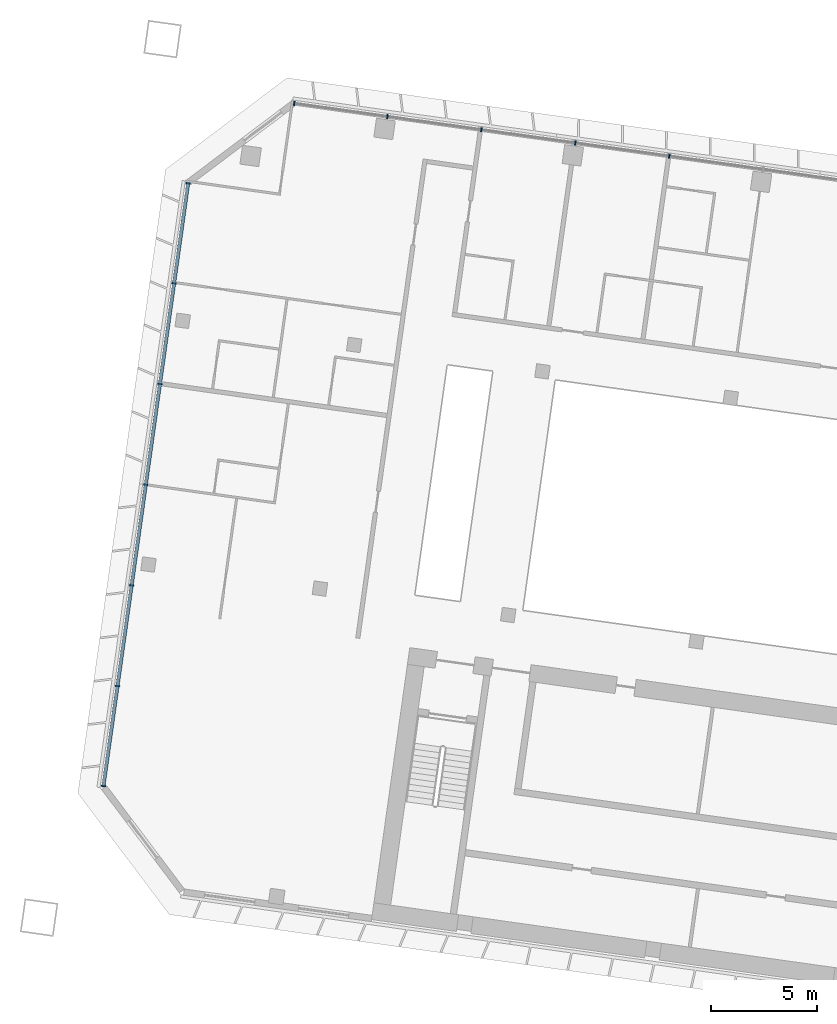
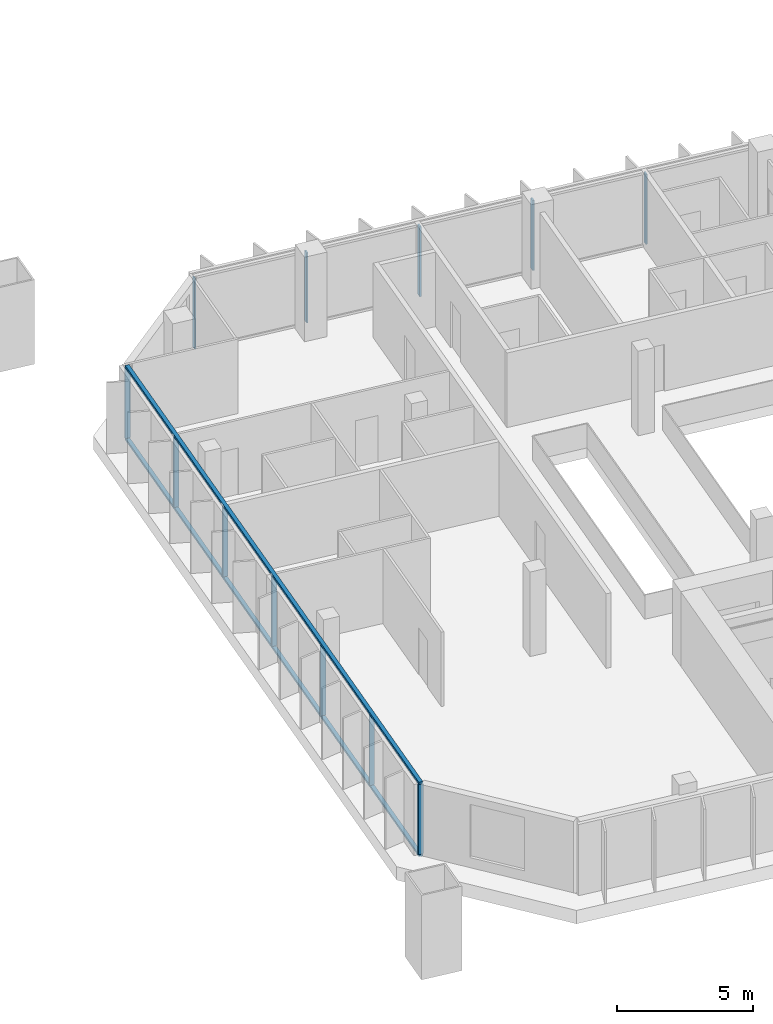
# One storey, part 2 of 27: 14 members, 2 elements without a shape of their own.
"""IFC4 building model written with IfcOpenShell, lengths in metres."""

import ifcopenshell
import ifcopenshell.guid

model = None  # the IFC model being written
_history = None  # IfcOwnerHistory: only IFC2X3 demands one
_inside = {}  # id of a spatial element -> (the spatial element, [elements in it])
_under = {}  # id of a project, library or spatial element -> (it, [spatial elements below it])
_declared = {}  # id of a project -> (the project, [libraries it declares])
_typed = {}  # id of a type object -> (the type object, [elements of that type])
_made_of = {}  # id of a material, layer set ... -> (it, [elements and type objects made of it])


def new_model(schema):
    """Start an empty IFC model of exactly this schema.

    Asked for "IFC4X3", IfcOpenShell would pick the latest addendum, in which some entities
    have other attributes; the version numbers below select the first issue.
    IFC2X3 requires an IfcOwnerHistory on every rooted entity: one is made here for all.
    """
    global model, _history
    if schema == "IFC4X3":
        model = ifcopenshell.file(schema_version=(4, 3, 0, 0))
    else:
        model = ifcopenshell.file(schema=schema)
    _inside.clear()
    _under.clear()
    _declared.clear()
    _typed.clear()
    _made_of.clear()
    _history = None
    if model.schema == "IFC2X3":
        org = make("IfcOrganization", Name="unknown")
        user = make(
            "IfcPersonAndOrganization",
            ThePerson=make("IfcPerson", FamilyName="unknown"),
            TheOrganization=org,
        )
        app = make(
            "IfcApplication",
            ApplicationDeveloper=org,
            Version="unknown",
            ApplicationFullName="unknown",
            ApplicationIdentifier="unknown",
        )
        _history = make(
            "IfcOwnerHistory",
            OwningUser=user,
            OwningApplication=app,
            ChangeAction="ADDED",
            CreationDate=0,
        )
    return model


def make(cls, **values):
    """One entity of the class cls with the attributes given. An attribute that is None is left unset."""
    return model.create_entity(
        cls, **{name: value for name, value in values.items() if value is not None}
    )


def rooted(cls, **values):
    """An entity with a GlobalId (a new one), such as an element, a storey or a relation."""
    return make(cls, GlobalId=ifcopenshell.guid.new(), OwnerHistory=_history, **values)


def si_unit(unit_type, name, prefix=None):
    """IfcSIUnit, for example si_unit("LENGTHUNIT", "METRE", prefix="MILLI")."""
    return make("IfcSIUnit", UnitType=unit_type, Prefix=prefix, Name=name)


def assignment(units):
    """IfcUnitAssignment: the units of a project."""
    return None if units is None else make("IfcUnitAssignment", Units=units)


def point(xyz):
    """IfcCartesianPoint."""
    return None if xyz is None else make("IfcCartesianPoint", Coordinates=xyz)


def direction(xyz):
    """IfcDirection."""
    return None if xyz is None else make("IfcDirection", DirectionRatios=xyz)


def frame(location, z_axis=None, x_axis=None):
    """IfcAxis2Placement3D, a coordinate frame: its origin and axes. An axis left out is left unset."""
    return make(
        "IfcAxis2Placement3D",
        Location=point(location),
        Axis=direction(z_axis),
        RefDirection=direction(x_axis),
    )


def frame_2d(location, x_axis=None):
    """IfcAxis2Placement2D, a coordinate frame in the plane: its origin and x axis."""
    return make(
        "IfcAxis2Placement2D", Location=point(location), RefDirection=direction(x_axis)
    )


def origin():
    """The frame at (0, 0, 0) with its axes left unset."""
    return frame((0.0, 0.0, 0.0))


def origin_2d():
    """The frame at (0, 0) in the plane with its x axis left unset."""
    return frame_2d((0.0, 0.0))


def place(relative_to, where):
    """IfcLocalPlacement: puts the frame where relative to a parent placement (None: the world)."""
    return make(
        "IfcLocalPlacement", PlacementRelTo=relative_to, RelativePlacement=where
    )


def context(
    kind, dimensions, precision=None, world=None, true_north=None, identifier=None
):
    """IfcGeometricRepresentationContext, for example the 3D "Model" context."""
    return make(
        "IfcGeometricRepresentationContext",
        ContextIdentifier=identifier,
        ContextType=kind,
        CoordinateSpaceDimension=dimensions,
        Precision=precision,
        WorldCoordinateSystem=world,
        TrueNorth=true_north,
    )


def subcontext(parent, identifier, kind, view, scale=None):
    """IfcGeometricRepresentationSubContext, for example "Body" below "Model"."""
    return make(
        "IfcGeometricRepresentationSubContext",
        ContextIdentifier=identifier,
        ContextType=kind,
        ParentContext=parent,
        TargetScale=scale,
        TargetView=view,
    )


def project(units=None, contexts=None):
    """IfcProject with its units and contexts."""
    return rooted(
        "IfcProject",
        Name="project",
        RepresentationContexts=contexts,
        UnitsInContext=assignment(units),
    )


def spatial(cls, under=None, at=None, **own):
    """A site, building, storey or space (cls), placed at a placement, below another one or the project."""
    s = rooted(cls, ObjectPlacement=at, **own)
    if under is not None:
        _under.setdefault(under.id(), (under, []))[1].append(s)
    return s


def profile(cls, at=None, kind="AREA", **sizes):
    """A parametric profile (cls). Its sizes go by their IFC names, for example OverallWidth=200.0."""
    return make(cls, ProfileType=kind, Position=at, **sizes)


def rectangle(**sizes):
    """IfcRectangleProfileDef."""
    return profile("IfcRectangleProfileDef", **sizes)


def extrude(swept, where, along, depth):
    """IfcExtrudedAreaSolid: the profile swept, set in the frame where, extruded along a direction by depth."""
    return make(
        "IfcExtrudedAreaSolid",
        SweptArea=swept,
        Position=where,
        ExtrudedDirection=direction(along),
        Depth=depth,
    )


def shape(context_of_items, identifier, shape_type, items):
    """IfcShapeRepresentation: the items that make up one representation, for example the "Body"."""
    return make(
        "IfcShapeRepresentation",
        ContextOfItems=context_of_items,
        RepresentationIdentifier=identifier,
        RepresentationType=shape_type,
        Items=items,
    )


def material(Name=None, Category=None):
    """IfcMaterial."""
    return make("IfcMaterial", Name=Name, Category=Category)


def material_profile(
    of_material, cross_section, Name=None, Category=None, Priority=None
):
    """IfcMaterialProfile: a cross section and its material."""
    return make(
        "IfcMaterialProfile",
        Name=Name,
        Material=of_material,
        Profile=cross_section,
        Priority=Priority,
        Category=Category,
    )


def profile_set(profiles, Name=None, composite=None):
    """IfcMaterialProfileSet."""
    return make(
        "IfcMaterialProfileSet",
        Name=Name,
        MaterialProfiles=profiles,
        CompositeProfile=composite,
    )


def made_of(thing, what):
    """Note that an element or type object is made of a material, layer set ...; save() writes the relation."""
    if what is not None:
        _made_of.setdefault(what.id(), (what, []))[1].append(thing)
    return thing


def type_object(cls, material=None, **own):
    """A type object (cls), such as IfcWallType, which elements share."""
    return made_of(rooted(cls, **own), material)


def element(
    cls,
    number,
    at=None,
    inside=None,
    cuts=None,
    type_object=None,
    material=None,
    context=None,
    identifier="Body",
    shape_type=None,
    held_by="IfcProductDefinitionShape",
    body=None,
    shapes=None,
    **own,
):
    """One element of the class cls, such as IfcWall. Its Tag is "e" and its number.

    at: its placement. inside: the storey or other place that contains it. cuts: it is an
    opening in that element (IfcRelVoidsElement). A single representation is given by context,
    identifier, shape_type and body (its items); several are given by shapes. held_by: the class
    of the entity that holds the representations. save() writes the other relations.
    """
    e = rooted(cls, Tag="e%d" % number, ObjectPlacement=at, **own)
    if body is not None:
        shapes = [shape(context, identifier, shape_type, body)]
    if shapes is not None:
        e.Representation = make(held_by, Representations=shapes)
    if inside is not None:
        _inside.setdefault(inside.id(), (inside, []))[1].append(e)
    if cuts is not None:
        rooted(
            "IfcRelVoidsElement", RelatingBuildingElement=cuts, RelatedOpeningElement=e
        )
    if type_object is not None:
        _typed.setdefault(type_object.id(), (type_object, []))[1].append(e)
    return made_of(e, material)


def aggregate(whole, parts):
    """IfcRelAggregates: a whole, such as a stair, and the parts it consists of."""
    return rooted("IfcRelAggregates", RelatingObject=whole, RelatedObjects=parts)


def save(model, path):
    """Write the relations noted so far, then the file.

    IfcRelAggregates (storeys below a building ...), IfcRelContainedInSpatialStructure (elements
    in a storey), IfcRelDefinesByType, IfcRelAssociatesMaterial and IfcRelDeclares: one each for
    every whole, place, type object, material and project.
    """
    for whole, parts in _under.values():
        aggregate(whole, parts)
    for where, things in _inside.values():
        rooted(
            "IfcRelContainedInSpatialStructure",
            RelatedElements=things,
            RelatingStructure=where,
        )
    for kind, things in _typed.values():
        rooted("IfcRelDefinesByType", RelatedObjects=things, RelatingType=kind)
    for what, things in _made_of.values():
        rooted("IfcRelAssociatesMaterial", RelatedObjects=things, RelatingMaterial=what)
    for by, libraries in _declared.values():
        rooted("IfcRelDeclares", RelatingContext=by, RelatedDefinitions=libraries)
    model.write(path)


model = new_model("IFC4")

# Units and contexts
model_context = context("Model", 3, precision=1e-05, world=origin(), true_north=direction((0.0, 1.0)))
body_context = subcontext(model_context, "Body", "Model", "MODEL_VIEW")
ifc_project = project(units=[si_unit("LENGTHUNIT", "METRE"), si_unit("AREAUNIT", "SQUARE_METRE"), si_unit("VOLUMEUNIT", "CUBIC_METRE"), si_unit("PLANEANGLEUNIT", "RADIAN"), si_unit("MASSUNIT", "GRAM", prefix="KILO")], contexts=[model_context])

# Site, building, storey
site_placement = place(None, origin())
site = spatial("IfcSite", under=ifc_project, at=site_placement, CompositionType="ELEMENT")
building_placement = place(site_placement, origin())
building = spatial("IfcBuilding", under=site, at=building_placement, Name="Mirante Cascada Hotel Towers", CompositionType="ELEMENT")
storey_placement = place(building_placement, frame((0.0, 0.0, 117.7)))
storey = spatial("IfcBuildingStorey", under=building, at=storey_placement, Name="L26", CompositionType="ELEMENT", Elevation=117.7)

# Curtain wall, members
ifc_material_1 = material(Name="Aluminium mullion and transom frame with clear laminated glass", Category="aluminium")
curtain_wall_type_1 = type_object("IfcCurtainWallType", Name="Ribbon curtain wall ECW1", PredefinedType="NOTDEFINED", material=ifc_material_1)
curtain_wall_1_placement = place(storey_placement, origin())
curtain_wall_1 = element("IfcCurtainWall", 1, at=curtain_wall_1_placement, inside=storey, type_object=curtain_wall_type_1, Name="Front ribbon wall T1 L26", PredefinedType="NOTDEFINED")
ifc_material_2 = material(Name="Anodised aluminium extrusion", Category="aluminium")
ifc_material_profile_1 = material_profile(ifc_material_2, rectangle(XDim=0.2, YDim=0.065, at=origin_2d()), Name="ECW1 MULLION 65x200")
ifc_profile_set_1 = profile_set([ifc_material_profile_1], Name="Anodised aluminium extrusion")
member_type_1 = type_object("IfcMemberType", Name="ECW1 mullion 65x200", PredefinedType="MULLION", material=ifc_profile_set_1)
member_1_placement = place(storey_placement, frame((-94.126, 26.0476, 0.1), z_axis=(0.0, 0.0, 1.0), x_axis=(0.1391731, 0.9902681, 0.0)))
member_1 = element("IfcMember", 2, at=member_1_placement, type_object=member_type_1, Name="ECW1 mullion 1", PredefinedType="MULLION", context=body_context, shape_type="SweptSolid", body=[
    extrude(rectangle(XDim=0.2, YDim=0.065, at=origin_2d()), origin(), (0.0, 0.0, 1.0), 3.15),
])
member_2_placement = place(storey_placement, frame((-89.7107, 25.427, 0.1), z_axis=(0.0, 0.0, 1.0), x_axis=(0.1391731, 0.9902681, 0.0)))
member_2 = element("IfcMember", 3, at=member_2_placement, type_object=member_type_1, Name="ECW1 mullion 2", PredefinedType="MULLION", context=body_context, shape_type="SweptSolid", body=[
    extrude(rectangle(XDim=0.2, YDim=0.065, at=origin_2d()), origin(), (0.0, 0.0, 1.0), 3.15),
])
member_3_placement = place(storey_placement, frame((-85.2633, 24.802, 0.1), z_axis=(0.0, 0.0, 1.0), x_axis=(0.1391731, 0.9902681, 0.0)))
member_3 = element("IfcMember", 4, at=member_3_placement, type_object=member_type_1, Name="ECW1 mullion 3", PredefinedType="MULLION", context=body_context, shape_type="SweptSolid", body=[
    extrude(rectangle(XDim=0.2, YDim=0.065, at=origin_2d()), origin(), (0.0, 0.0, 1.0), 3.15),
])
member_4_placement = place(storey_placement, frame((-80.8159, 24.177, 0.1), z_axis=(0.0, 0.0, 1.0), x_axis=(0.1391731, 0.9902681, 0.0)))
member_4 = element("IfcMember", 5, at=member_4_placement, type_object=member_type_1, Name="ECW1 mullion 4", PredefinedType="MULLION", context=body_context, shape_type="SweptSolid", body=[
    extrude(rectangle(XDim=0.2, YDim=0.065, at=origin_2d()), origin(), (0.0, 0.0, 1.0), 3.15),
])
member_5_placement = place(storey_placement, frame((-76.3685, 23.5519, 0.1), z_axis=(0.0, 0.0, 1.0), x_axis=(0.1391731, 0.9902681, 0.0)))
member_5 = element("IfcMember", 6, at=member_5_placement, type_object=member_type_1, Name="ECW1 mullion 5", PredefinedType="MULLION", context=body_context, shape_type="SweptSolid", body=[
    extrude(rectangle(XDim=0.2, YDim=0.065, at=origin_2d()), origin(), (0.0, 0.0, 1.0), 3.15),
])
aggregate(curtain_wall_1, [member_1, member_2, member_3, member_4, member_5])

ifc_material_3 = material(Name="Aluminium mullion and transom frame with clear laminated glass", Category="aluminium")
curtain_wall_type_2 = type_object("IfcCurtainWallType", Name="End ribbon curtain wall ECW2", PredefinedType="NOTDEFINED", material=ifc_material_3)
curtain_wall_2_placement = place(storey_placement, origin())
curtain_wall_2 = element("IfcCurtainWall", 7, at=curtain_wall_2_placement, inside=storey, type_object=curtain_wall_type_2, Name="Outer end wall T1 L26", PredefinedType="NOTDEFINED")
ifc_material_4 = material(Name="Anodised aluminium extrusion", Category="aluminium")
ifc_material_profile_2 = material_profile(ifc_material_4, rectangle(XDim=0.2, YDim=0.065, at=origin_2d()), Name="ECW2 MULLION 65x200")
ifc_profile_set_2 = profile_set([ifc_material_profile_2], Name="Anodised aluminium extrusion")
member_type_2 = type_object("IfcMemberType", Name="ECW2 mullion 65x200", PredefinedType="MULLION", material=ifc_profile_set_2)
member_6_placement = place(storey_placement, frame((-103.1556, -6.2656, 0.1), z_axis=(0.0, 0.0, 1.0), x_axis=(-0.9902681, 0.1391731, 0.0)))
member_6 = element("IfcMember", 8, at=member_6_placement, type_object=member_type_2, Name="ECW2 mullion 1", PredefinedType="MULLION", context=body_context, shape_type="SweptSolid", body=[
    extrude(rectangle(XDim=0.2, YDim=0.065, at=origin_2d()), origin(), (0.0, 0.0, 1.0), 3.15),
])
member_7_placement = place(storey_placement, frame((-102.4903, -1.532, 0.1), z_axis=(0.0, 0.0, 1.0), x_axis=(-0.9902681, 0.1391731, 0.0)))
member_7 = element("IfcMember", 9, at=member_7_placement, type_object=member_type_2, Name="ECW2 mullion 2", PredefinedType="MULLION", context=body_context, shape_type="SweptSolid", body=[
    extrude(rectangle(XDim=0.2, YDim=0.065, at=origin_2d()), origin(), (0.0, 0.0, 1.0), 3.15),
])
member_8_placement = place(storey_placement, frame((-101.8205, 3.2338, 0.1), z_axis=(0.0, 0.0, 1.0), x_axis=(-0.9902681, 0.1391731, 0.0)))
member_8 = element("IfcMember", 10, at=member_8_placement, type_object=member_type_2, Name="ECW2 mullion 3", PredefinedType="MULLION", context=body_context, shape_type="SweptSolid", body=[
    extrude(rectangle(XDim=0.2, YDim=0.065, at=origin_2d()), origin(), (0.0, 0.0, 1.0), 3.15),
])
member_9_placement = place(storey_placement, frame((-101.1508, 7.9996, 0.1), z_axis=(0.0, 0.0, 1.0), x_axis=(-0.9902681, 0.1391731, 0.0)))
member_9 = element("IfcMember", 11, at=member_9_placement, type_object=member_type_2, Name="ECW2 mullion 4", PredefinedType="MULLION", context=body_context, shape_type="SweptSolid", body=[
    extrude(rectangle(XDim=0.2, YDim=0.065, at=origin_2d()), origin(), (0.0, 0.0, 1.0), 3.15),
])
member_10_placement = place(storey_placement, frame((-100.481, 12.7654, 0.1), z_axis=(0.0, 0.0, 1.0), x_axis=(-0.9902681, 0.1391731, 0.0)))
member_10 = element("IfcMember", 12, at=member_10_placement, type_object=member_type_2, Name="ECW2 mullion 5", PredefinedType="MULLION", context=body_context, shape_type="SweptSolid", body=[
    extrude(rectangle(XDim=0.2, YDim=0.065, at=origin_2d()), origin(), (0.0, 0.0, 1.0), 3.15),
])
member_11_placement = place(storey_placement, frame((-99.8112, 17.5312, 0.1), z_axis=(0.0, 0.0, 1.0), x_axis=(-0.9902681, 0.1391731, 0.0)))
member_11 = element("IfcMember", 13, at=member_11_placement, type_object=member_type_2, Name="ECW2 mullion 6", PredefinedType="MULLION", context=body_context, shape_type="SweptSolid", body=[
    extrude(rectangle(XDim=0.2, YDim=0.065, at=origin_2d()), origin(), (0.0, 0.0, 1.0), 3.15),
])
member_12_placement = place(storey_placement, frame((-99.1459, 22.2648, 0.1), z_axis=(0.0, 0.0, 1.0), x_axis=(-0.9902681, 0.1391731, 0.0)))
member_12 = element("IfcMember", 14, at=member_12_placement, type_object=member_type_2, Name="ECW2 mullion 7", PredefinedType="MULLION", context=body_context, shape_type="SweptSolid", body=[
    extrude(rectangle(XDim=0.2, YDim=0.065, at=origin_2d()), origin(), (0.0, 0.0, 1.0), 3.15),
])
ifc_material_5 = material(Name="Anodised aluminium extrusion", Category="aluminium")
ifc_material_profile_3 = material_profile(ifc_material_5, rectangle(XDim=0.16, YDim=0.1, at=origin_2d()), Name="ECW2 TRANSOM 100x160")
ifc_profile_set_3 = profile_set([ifc_material_profile_3], Name="Anodised aluminium extrusion")
member_type_3 = type_object("IfcMemberType", Name="ECW2 transom 100x160", PredefinedType="USERDEFINED", material=ifc_profile_set_3)
member_13_placement = place(storey_placement, frame((-103.1601, -6.2978, 0.05), z_axis=(0.1391723, 0.9902682, 0.0), x_axis=(-0.9902682, 0.1391723, 0.0)))
member_13 = element("IfcMember", 15, at=member_13_placement, type_object=member_type_3, Name="ECW2 sill transom", ObjectType="TRANSOM", PredefinedType="USERDEFINED", context=body_context, shape_type="SweptSolid", body=[
    extrude(rectangle(XDim=0.16, YDim=0.1, at=origin_2d()), origin(), (0.0, 0.0, 1.0), 28.8757),
])
member_14_placement = place(storey_placement, frame((-103.1601, -6.2978, 3.3), z_axis=(0.1391723, 0.9902682, 0.0), x_axis=(-0.9902682, 0.1391723, 0.0)))
member_14 = element("IfcMember", 16, at=member_14_placement, type_object=member_type_3, Name="ECW2 head transom", ObjectType="TRANSOM", PredefinedType="USERDEFINED", context=body_context, shape_type="SweptSolid", body=[
    extrude(rectangle(XDim=0.16, YDim=0.1, at=origin_2d()), origin(), (0.0, 0.0, 1.0), 28.8757),
])
aggregate(curtain_wall_2, [member_13, member_14, member_6, member_7, member_8, member_9, member_10, member_11, member_12])

save(model, "model.ifc")
